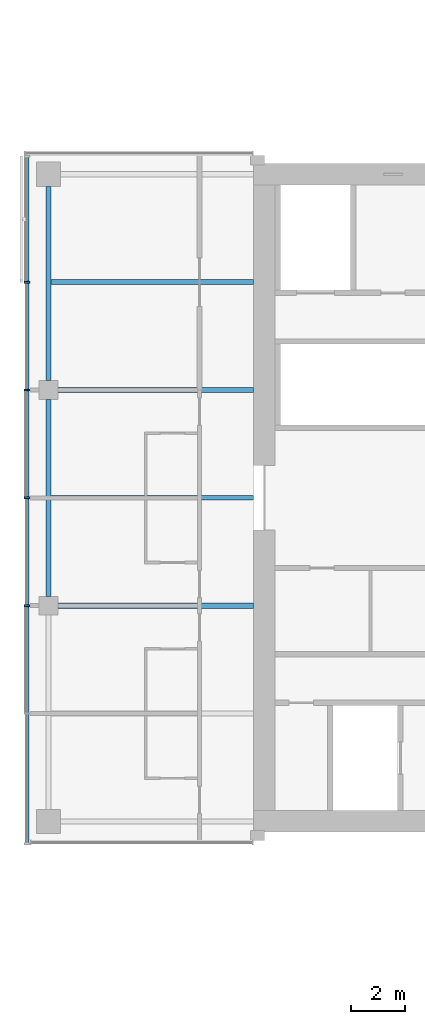
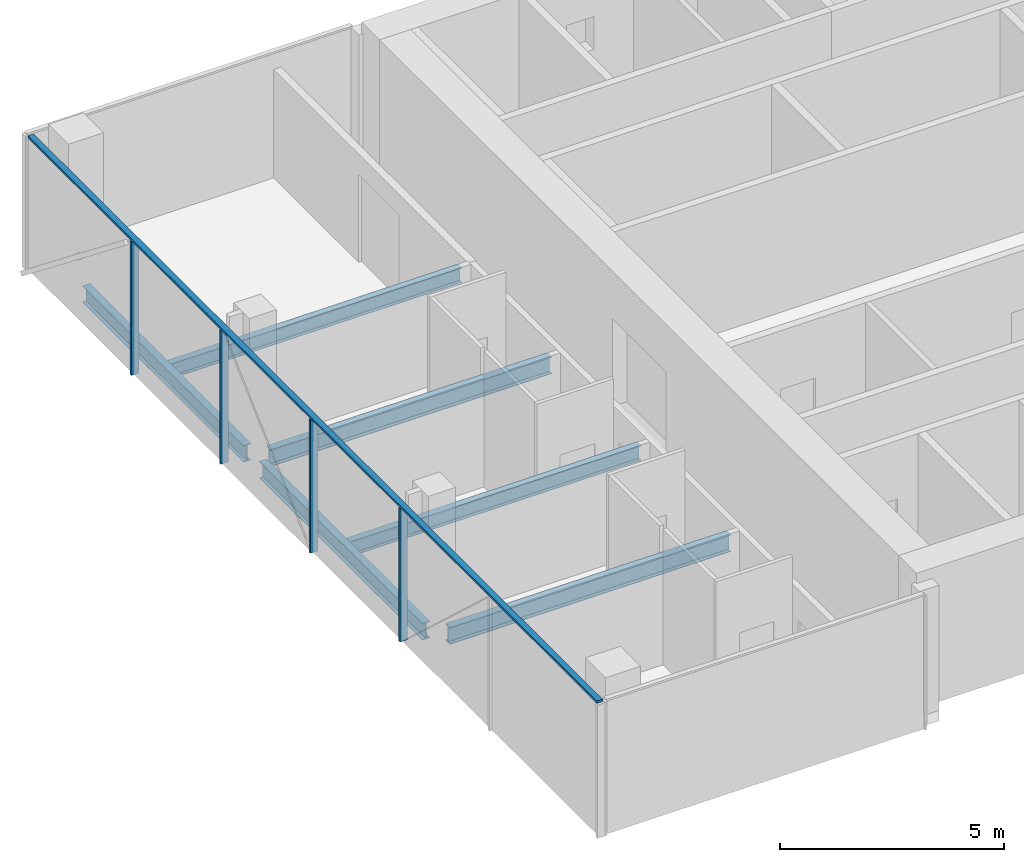
# One storey, part 6 of 27: 6 beams, 5 members, 1 element without a shape of its own.
"""IFC4 building model written with IfcOpenShell, lengths in metres."""

from ifc_helpers import new_model, si_unit, direction, frame, origin, origin_2d, place, context, subcontext, project, spatial, rectangle, i_section, extrude, material, material_profile, profile_set, type_object, element, aggregate, save


model = new_model("IFC4")

# Units and contexts
model_context = context("Model", 3, precision=1e-05, world=origin(), true_north=direction((0.0, 1.0)))
body_context = subcontext(model_context, "Body", "Model", "MODEL_VIEW")
ifc_project = project(units=[si_unit("LENGTHUNIT", "METRE"), si_unit("AREAUNIT", "SQUARE_METRE"), si_unit("VOLUMEUNIT", "CUBIC_METRE"), si_unit("PLANEANGLEUNIT", "RADIAN"), si_unit("MASSUNIT", "GRAM", prefix="KILO")], contexts=[model_context])

# Site, building, storey
site_placement = place(None, origin())
site = spatial("IfcSite", under=ifc_project, at=site_placement, CompositionType="ELEMENT")
building_placement = place(site_placement, origin())
building = spatial("IfcBuilding", under=site, at=building_placement, Name="Crosswind Convention Tower", CompositionType="ELEMENT")
storey_placement = place(building_placement, frame((0.0, 0.0, 79.39990234375)))
storey = spatial("IfcBuildingStorey", under=building, at=storey_placement, Name="L14", CompositionType="ELEMENT", Elevation=79.39990234375)

# Beams
ifc_material_1 = material(Name="Steel S355", Category="steel")
ifc_material_profile_1 = material_profile(ifc_material_1, i_section(OverallWidth=0.1904296875, OverallDepth=0.457275390625, WebThickness=0.009033203125, FlangeThickness=0.014404296875, FilletRadius=0.01025390625, at=origin_2d()), Name="UB 457x191x75")
ifc_profile_set_1 = profile_set([ifc_material_profile_1], Name="Steel S355")
beam_type_1 = type_object("IfcBeamType", Name="Edge beam UB 457x191x75", PredefinedType="SPANDREL", material=ifc_profile_set_1)
beam_1_placement = place(storey_placement, frame((89.0, 96.35009765625, -0.508544921875), z_axis=(0.0, 1.0, 0.0), x_axis=(-1.0, 0.0, 0.0)))
element("IfcBeam", 1, at=beam_1_placement, inside=storey, type_object=beam_type_1, Name="B17 L14 edge beam 2", PredefinedType="SPANDREL", context=body_context, shape_type="SweptSolid", body=[
    extrude(i_section(OverallWidth=0.1904296875, OverallDepth=0.457275390625, WebThickness=0.009033203125, FlangeThickness=0.014404296875, FilletRadius=0.01025390625, at=origin_2d()), origin(), (0.0, 0.0, 1.0), 7.2998046875),
])
beam_2_placement = place(storey_placement, frame((89.0, 104.35009765625, -0.508544921875), z_axis=(0.0, 1.0, 0.0), x_axis=(-1.0, 0.0, 0.0)))
element("IfcBeam", 2, at=beam_2_placement, inside=storey, type_object=beam_type_1, Name="B17 L14 edge beam 3", PredefinedType="SPANDREL", context=body_context, shape_type="SweptSolid", body=[
    extrude(i_section(OverallWidth=0.1904296875, OverallDepth=0.457275390625, WebThickness=0.009033203125, FlangeThickness=0.014404296875, FilletRadius=0.01025390625, at=origin_2d()), origin(), (0.0, 0.0, 1.0), 7.199951171875),
])
ifc_material_profile_2 = material_profile(ifc_material_1, i_section(OverallWidth=0.19189453125, OverallDepth=0.463623046875, WebThickness=0.010498046875, FlangeThickness=0.017578125, FilletRadius=0.01025390625, at=origin_2d()), Name="UB 457x191x90")
ifc_profile_set_2 = profile_set([ifc_material_profile_2], Name="Steel S355")
beam_type_2 = type_object("IfcBeamType", Name="Girder at core wall UB 457x191x90", PredefinedType="BEAM", material=ifc_profile_set_2)
for number, where, z_axis, x_axis, name in (
    (3, (89.35009765625, 96.0, -0.51171875), (1.0, 0.0, 0.0), (0.0, 1.0, 0.0), "B24 L14 girder at core wall 1"),
    (4, (89.35009765625, 104.0, -0.51171875), (1.0, 0.0, 0.0), (0.0, 1.0, 0.0), "B24 L14 girder at core wall 2"),
):
    element("IfcBeam", number, at=place(storey_placement, frame(where, z_axis=z_axis, x_axis=x_axis)), inside=storey, type_object=beam_type_2, Name=name, PredefinedType="BEAM", context=body_context, shape_type="SweptSolid", body=[
        extrude(i_section(OverallWidth=0.19189453125, OverallDepth=0.463623046875, WebThickness=0.010498046875, FlangeThickness=0.017578125, FilletRadius=0.01025390625, at=origin_2d()), origin(), (0.0, 0.0, 1.0), 7.25),
    ])

# Curtain wall, members
ifc_material_2 = material(Name="Aluminium unitised curtain wall", Category="aluminium")
curtain_wall_type = type_object("IfcCurtainWallType", Name="HOTEL UNITISED WALL 200", PredefinedType="USERDEFINED", material=ifc_material_2)
curtain_wall_placement = place(storey_placement, origin())
curtain_wall = element("IfcCurtainWall", 5, at=curtain_wall_placement, inside=storey, type_object=curtain_wall_type, Name="CW2 L14 W-TIP 1", ObjectType="UNITISED", PredefinedType="USERDEFINED")
ifc_material_3 = material(Name="Aluminium mullion", Category="aluminium")
ifc_material_profile_3 = material_profile(ifc_material_3, rectangle(XDim=0.199951171875, YDim=0.06494140625, at=origin_2d()), Name="AL 200X65")
ifc_profile_set_3 = profile_set([ifc_material_profile_3], Name="Aluminium mullion")
member_type_1 = type_object("IfcMemberType", Name="MULLION 65X200", PredefinedType="MULLION", material=ifc_profile_set_3)
member_1_placement = place(storey_placement, frame((88.199951171875, 108.0, -0.27978515625), z_axis=(0.0, 0.0, 1.0), x_axis=(-1.0, 0.0, 0.0)))
member_1 = element("IfcMember", 6, at=member_1_placement, type_object=member_type_1, Name="CW2 mullion 2", PredefinedType="MULLION", context=body_context, shape_type="SweptSolid", body=[
    extrude(rectangle(XDim=0.199951171875, YDim=0.06494140625, at=origin_2d()), origin(), (0.0, 0.0, 1.0), 3.634765625),
])
member_2_placement = place(storey_placement, frame((88.199951171875, 104.0, -0.27978515625), z_axis=(0.0, 0.0, 1.0), x_axis=(-1.0, 0.0, 0.0)))
member_2 = element("IfcMember", 7, at=member_2_placement, type_object=member_type_1, Name="CW2 mullion 3", PredefinedType="MULLION", context=body_context, shape_type="SweptSolid", body=[
    extrude(rectangle(XDim=0.199951171875, YDim=0.06494140625, at=origin_2d()), origin(), (0.0, 0.0, 1.0), 3.634765625),
])
member_3_placement = place(storey_placement, frame((88.199951171875, 100.0, -0.27978515625), z_axis=(0.0, 0.0, 1.0), x_axis=(-1.0, 0.0, 0.0)))
member_3 = element("IfcMember", 8, at=member_3_placement, type_object=member_type_1, Name="CW2 mullion 4", PredefinedType="MULLION", context=body_context, shape_type="SweptSolid", body=[
    extrude(rectangle(XDim=0.199951171875, YDim=0.06494140625, at=origin_2d()), origin(), (0.0, 0.0, 1.0), 3.634765625),
])
member_4_placement = place(storey_placement, frame((88.199951171875, 96.0, -0.27978515625), z_axis=(0.0, 0.0, 1.0), x_axis=(-1.0, 0.0, 0.0)))
member_4 = element("IfcMember", 9, at=member_4_placement, type_object=member_type_1, Name="CW2 mullion 5", PredefinedType="MULLION", context=body_context, shape_type="SweptSolid", body=[
    extrude(rectangle(XDim=0.199951171875, YDim=0.06494140625, at=origin_2d()), origin(), (0.0, 0.0, 1.0), 3.634765625),
])

# Beams
ifc_material_profile_4 = material_profile(ifc_material_1, i_section(OverallWidth=0.177734375, OverallDepth=0.406494140625, WebThickness=0.0078125, FlangeThickness=0.0126953125, FilletRadius=0.01025390625, at=origin_2d()), Name="UB 406x178x60")
ifc_profile_set_4 = profile_set([ifc_material_profile_4], Name="Steel S355")
beam_type_3 = type_object("IfcBeamType", Name="Secondary beam UB 406x178x60", PredefinedType="JOIST", material=ifc_profile_set_4)
for number, where, z_axis, x_axis, name in (
    (10, (89.09521484375, 100.0, -0.483154296875), (1.0, 0.0, 0.0), (0.0, 1.0, 0.0), "B10 L14 secondary beam 2"),
    (11, (89.09521484375, 108.0, -0.483154296875), (1.0, 0.0, 0.0), (0.0, 1.0, 0.0), "B10 L14 secondary beam 3"),
):
    element("IfcBeam", number, at=place(storey_placement, frame(where, z_axis=z_axis, x_axis=x_axis)), inside=storey, type_object=beam_type_3, Name=name, PredefinedType="JOIST", context=body_context, shape_type="SweptSolid", body=[
        extrude(i_section(OverallWidth=0.177734375, OverallDepth=0.406494140625, WebThickness=0.0078125, FlangeThickness=0.0126953125, FilletRadius=0.01025390625, at=origin_2d()), origin(), (0.0, 0.0, 1.0), 7.5048828125),
    ])

# Member
ifc_material_4 = material(Name="Aluminium transom", Category="aluminium")
ifc_material_profile_5 = material_profile(ifc_material_4, rectangle(XDim=0.14990234375, YDim=0.06494140625, at=origin_2d()), Name="AL 150X65")
ifc_profile_set_5 = profile_set([ifc_material_profile_5], Name="Aluminium transom")
member_type_2 = type_object("IfcMemberType", Name="TRANSOM 65X150", PredefinedType="USERDEFINED", material=ifc_profile_set_5)
member_5_placement = place(storey_placement, frame((88.199951171875, 112.635009765625, 3.3876953125), z_axis=(0.0, -1.0, 0.0), x_axis=(1.0, 0.0, 0.0)))
member_5 = element("IfcMember", 12, at=member_5_placement, type_object=member_type_2, Name="CW2 transom", ObjectType="TRANSOM", PredefinedType="USERDEFINED", context=body_context, shape_type="SweptSolid", body=[
    extrude(rectangle(XDim=0.14990234375, YDim=0.06494140625, at=origin_2d()), origin(), (0.0, 0.0, 1.0), 25.429931640625),
])

aggregate(curtain_wall, [member_1, member_2, member_3, member_4, member_5])

save(model, "model.ifc")
